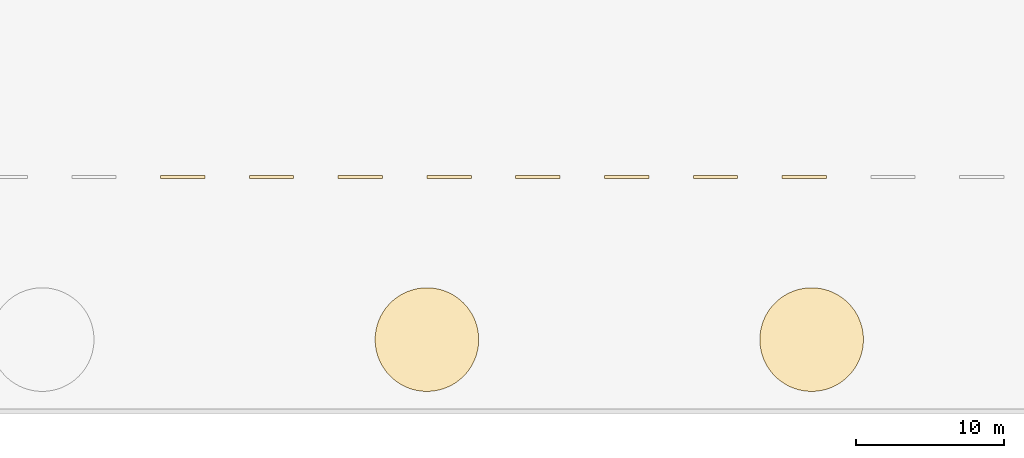
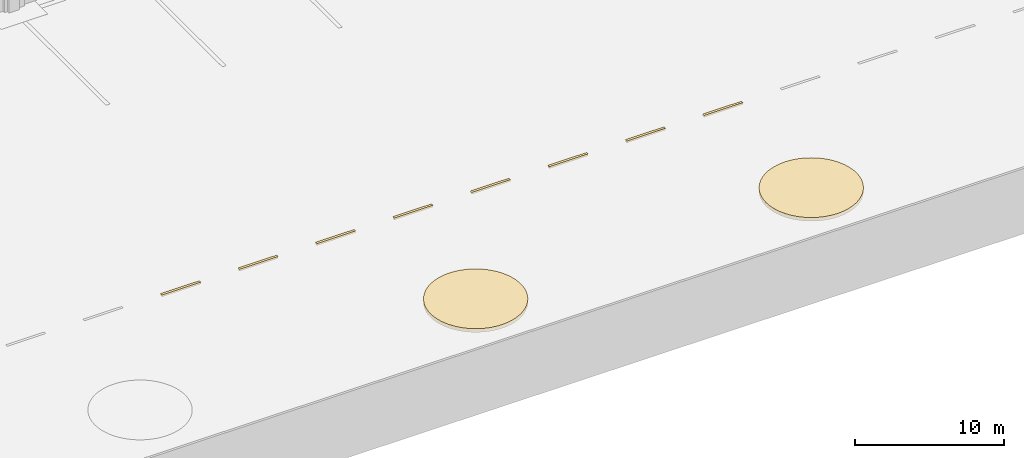
# One storey, part 154 of 198: 10 coverings.
"""IFC4 building model written with IfcOpenShell, lengths in metres."""

from ifc_helpers import new_model, si_unit, direction, frame, origin, place, context, subcontext, project, spatial, polyline, outline, extrude, material, layer, layer_set, type_object, element, save


model = new_model("IFC4")

# Units and contexts
model_context = context("Model", 3, precision=1e-05, world=origin(), true_north=direction((0.0, 1.0)))
body_context = subcontext(model_context, "Body", "Model", "MODEL_VIEW")
ifc_project = project(units=[si_unit("LENGTHUNIT", "METRE"), si_unit("AREAUNIT", "SQUARE_METRE"), si_unit("VOLUMEUNIT", "CUBIC_METRE"), si_unit("PLANEANGLEUNIT", "RADIAN"), si_unit("MASSUNIT", "GRAM", prefix="KILO")], contexts=[model_context])

# Site, building, storey
site_placement = place(None, origin())
site = spatial("IfcSite", under=ifc_project, at=site_placement, CompositionType="ELEMENT")
building_placement = place(site_placement, origin())
building = spatial("IfcBuilding", under=site, at=building_placement, Name="Opaline Strait Convention Centre", CompositionType="ELEMENT")
storey_placement = place(building_placement, origin())
storey = spatial("IfcBuildingStorey", under=building, at=storey_placement, Name="L00", CompositionType="ELEMENT", Elevation=0.0)

# Coverings
ifc_material_1 = material(Name="Planting soil and shrub planting")
ifc_layer_1 = layer(ifc_material_1, 0.300048828125)
ifc_layer_set_1 = layer_set([ifc_layer_1], Name="Planting soil and shrub planting")
covering_type_1 = type_object("IfcCoveringType", Name="Planted border bed 300", PredefinedType="USERDEFINED", material=ifc_layer_set_1)
covering_1_placement = place(storey_placement, frame((0.0, 0.0, -0.300048828125)))
element("IfcCovering", 1, at=covering_1_placement, inside=storey, type_object=covering_type_1, Name="Yard planting island 3 surfacing", ObjectType="LANDSCAPE", PredefinedType="USERDEFINED", context=body_context, shape_type="SweptSolid", body=[
    extrude(outline(polyline([(157.4326171875, 8.317138671875), (157.47021484375, 8.543212890625), (157.492431640625, 8.77099609375), (157.5, 9.0), (157.492431640625, 9.22900390625), (157.47021484375, 9.456787109375), (157.4326171875, 9.682861328125), (157.380615234375, 9.906005859375), (157.314208984375, 10.125), (157.233642578125, 10.33935546875), (157.13916015625, 10.548095703125), (157.031005859375, 10.75), (156.91015625, 10.944580078125), (156.776611328125, 11.130615234375), (156.63134765625, 11.3076171875), (156.474853515625, 11.474853515625), (156.3076171875, 11.63134765625), (156.130615234375, 11.776611328125), (155.944580078125, 11.91015625), (155.75, 12.031005859375), (155.548095703125, 12.13916015625), (155.33935546875, 12.233642578125), (155.125, 12.314208984375), (154.906005859375, 12.380615234375), (154.682861328125, 12.4326171875), (154.456787109375, 12.47021484375), (154.22900390625, 12.492431640625), (154.0, 12.5), (153.77099609375, 12.492431640625), (153.543212890625, 12.47021484375), (153.317138671875, 12.4326171875), (153.093994140625, 12.380615234375), (152.875, 12.314208984375), (152.66064453125, 12.233642578125), (152.451904296875, 12.13916015625), (152.25, 12.031005859375), (152.055419921875, 11.91015625), (151.869384765625, 11.776611328125), (151.6923828125, 11.63134765625), (151.525146484375, 11.474853515625), (151.36865234375, 11.3076171875), (151.223388671875, 11.130615234375), (151.08984375, 10.944580078125), (150.968994140625, 10.75), (150.86083984375, 10.548095703125), (150.766357421875, 10.33935546875), (150.685791015625, 10.125), (150.619384765625, 9.906005859375), (150.5673828125, 9.682861328125), (150.52978515625, 9.456787109375), (150.507568359375, 9.22900390625), (150.5, 9.0), (150.507568359375, 8.77099609375), (150.52978515625, 8.543212890625), (150.5673828125, 8.317138671875), (150.619384765625, 8.093994140625), (150.685791015625, 7.875), (150.766357421875, 7.66064453125), (150.86083984375, 7.451904296875), (150.968994140625, 7.25), (151.08984375, 7.055419921875), (151.223388671875, 6.869384765625), (151.36865234375, 6.6923828125), (151.525146484375, 6.525146484375), (151.6923828125, 6.36865234375), (151.869384765625, 6.223388671875), (152.055419921875, 6.08984375), (152.25, 5.968994140625), (152.451904296875, 5.86083984375), (152.66064453125, 5.766357421875), (152.875, 5.685791015625), (153.093994140625, 5.619384765625), (153.317138671875, 5.5673828125), (153.543212890625, 5.52978515625), (153.77099609375, 5.507568359375), (154.0, 5.5), (154.22900390625, 5.507568359375), (154.456787109375, 5.52978515625), (154.682861328125, 5.5673828125), (154.906005859375, 5.619384765625), (155.125, 5.685791015625), (155.33935546875, 5.766357421875), (155.548095703125, 5.86083984375), (155.75, 5.968994140625), (155.944580078125, 6.08984375), (156.130615234375, 6.223388671875), (156.3076171875, 6.36865234375), (156.474853515625, 6.525146484375), (156.63134765625, 6.6923828125), (156.776611328125, 6.869384765625), (156.91015625, 7.055419921875), (157.031005859375, 7.25), (157.13916015625, 7.451904296875), (157.233642578125, 7.66064453125), (157.314208984375, 7.875), (157.380615234375, 8.093994140625), (157.4326171875, 8.317138671875)])), origin(), (0.0, 0.0, 1.0), 0.300048828125),
])
covering_2_placement = place(storey_placement, frame((0.0, 0.0, -0.300048828125)))
element("IfcCovering", 2, at=covering_2_placement, inside=storey, type_object=covering_type_1, Name="Yard planting island 4 surfacing", ObjectType="LANDSCAPE", PredefinedType="USERDEFINED", context=body_context, shape_type="SweptSolid", body=[
    extrude(outline(polyline([(183.4326171875, 8.317138671875), (183.47021484375, 8.543212890625), (183.492431640625, 8.77099609375), (183.5, 9.0), (183.492431640625, 9.22900390625), (183.47021484375, 9.456787109375), (183.4326171875, 9.682861328125), (183.380615234375, 9.906005859375), (183.314208984375, 10.125), (183.233642578125, 10.33935546875), (183.13916015625, 10.548095703125), (183.031005859375, 10.75), (182.91015625, 10.944580078125), (182.776611328125, 11.130615234375), (182.63134765625, 11.3076171875), (182.474853515625, 11.474853515625), (182.3076171875, 11.63134765625), (182.130615234375, 11.776611328125), (181.944580078125, 11.91015625), (181.75, 12.031005859375), (181.548095703125, 12.13916015625), (181.33935546875, 12.233642578125), (181.125, 12.314208984375), (180.906005859375, 12.380615234375), (180.682861328125, 12.4326171875), (180.456787109375, 12.47021484375), (180.22900390625, 12.492431640625), (180.0, 12.5), (179.77099609375, 12.492431640625), (179.543212890625, 12.47021484375), (179.317138671875, 12.4326171875), (179.093994140625, 12.380615234375), (178.875, 12.314208984375), (178.66064453125, 12.233642578125), (178.451904296875, 12.13916015625), (178.25, 12.031005859375), (178.055419921875, 11.91015625), (177.869384765625, 11.776611328125), (177.6923828125, 11.63134765625), (177.525146484375, 11.474853515625), (177.36865234375, 11.3076171875), (177.223388671875, 11.130615234375), (177.08984375, 10.944580078125), (176.968994140625, 10.75), (176.86083984375, 10.548095703125), (176.766357421875, 10.33935546875), (176.685791015625, 10.125), (176.619384765625, 9.906005859375), (176.5673828125, 9.682861328125), (176.52978515625, 9.456787109375), (176.507568359375, 9.22900390625), (176.5, 9.0), (176.507568359375, 8.77099609375), (176.52978515625, 8.543212890625), (176.5673828125, 8.317138671875), (176.619384765625, 8.093994140625), (176.685791015625, 7.875), (176.766357421875, 7.66064453125), (176.86083984375, 7.451904296875), (176.968994140625, 7.25), (177.08984375, 7.055419921875), (177.223388671875, 6.869384765625), (177.36865234375, 6.6923828125), (177.525146484375, 6.525146484375), (177.6923828125, 6.36865234375), (177.869384765625, 6.223388671875), (178.055419921875, 6.08984375), (178.25, 5.968994140625), (178.451904296875, 5.86083984375), (178.66064453125, 5.766357421875), (178.875, 5.685791015625), (179.093994140625, 5.619384765625), (179.317138671875, 5.5673828125), (179.543212890625, 5.52978515625), (179.77099609375, 5.507568359375), (180.0, 5.5), (180.22900390625, 5.507568359375), (180.456787109375, 5.52978515625), (180.682861328125, 5.5673828125), (180.906005859375, 5.619384765625), (181.125, 5.685791015625), (181.33935546875, 5.766357421875), (181.548095703125, 5.86083984375), (181.75, 5.968994140625), (181.944580078125, 6.08984375), (182.130615234375, 6.223388671875), (182.3076171875, 6.36865234375), (182.474853515625, 6.525146484375), (182.63134765625, 6.6923828125), (182.776611328125, 6.869384765625), (182.91015625, 7.055419921875), (183.031005859375, 7.25), (183.13916015625, 7.451904296875), (183.233642578125, 7.66064453125), (183.314208984375, 7.875), (183.380615234375, 8.093994140625), (183.4326171875, 8.317138671875)])), origin(), (0.0, 0.0, 1.0), 0.300048828125),
])
ifc_material_2 = material(Name="Road marking paint on concrete", Category="concrete")
ifc_layer_2 = layer(ifc_material_2, 0.14990234375)
ifc_layer_set_2 = layer_set([ifc_layer_2], Name="Road marking paint on concrete")
covering_type_2 = type_object("IfcCoveringType", Name="Yard marking strip 150", PredefinedType="FLOORING", material=ifc_layer_set_2)
covering_3_placement = place(storey_placement, frame((0.0, 0.0, -0.14990234375)))
element("IfcCovering", 3, at=covering_3_placement, inside=storey, type_object=covering_type_2, Name="Yard centre line dash 7 surfacing", PredefinedType="FLOORING", context=body_context, shape_type="SweptSolid", body=[
    extrude(outline(polyline([(139.0, 20.10009765625), (136.0, 20.10009765625), (136.0, 19.89990234375), (139.0, 19.89990234375), (139.0, 20.10009765625)])), origin(), (0.0, 0.0, 1.0), 0.14990234375),
])
covering_4_placement = place(storey_placement, frame((0.0, 0.0, -0.14990234375)))
element("IfcCovering", 4, at=covering_4_placement, inside=storey, type_object=covering_type_2, Name="Yard centre line dash 8 surfacing", PredefinedType="FLOORING", context=body_context, shape_type="SweptSolid", body=[
    extrude(outline(polyline([(145.0, 20.10009765625), (142.0, 20.10009765625), (142.0, 19.89990234375), (145.0, 19.89990234375), (145.0, 20.10009765625)])), origin(), (0.0, 0.0, 1.0), 0.14990234375),
])
covering_5_placement = place(storey_placement, frame((0.0, 0.0, -0.14990234375)))
element("IfcCovering", 5, at=covering_5_placement, inside=storey, type_object=covering_type_2, Name="Yard centre line dash 9 surfacing", PredefinedType="FLOORING", context=body_context, shape_type="SweptSolid", body=[
    extrude(outline(polyline([(151.0, 20.10009765625), (148.0, 20.10009765625), (148.0, 19.89990234375), (151.0, 19.89990234375), (151.0, 20.10009765625)])), origin(), (0.0, 0.0, 1.0), 0.14990234375),
])
covering_6_placement = place(storey_placement, frame((0.0, 0.0, -0.14990234375)))
element("IfcCovering", 6, at=covering_6_placement, inside=storey, type_object=covering_type_2, Name="Yard centre line dash 10 surfacing", PredefinedType="FLOORING", context=body_context, shape_type="SweptSolid", body=[
    extrude(outline(polyline([(157.0, 20.10009765625), (154.0, 20.10009765625), (154.0, 19.89990234375), (157.0, 19.89990234375), (157.0, 20.10009765625)])), origin(), (0.0, 0.0, 1.0), 0.14990234375),
])
covering_7_placement = place(storey_placement, frame((0.0, 0.0, -0.14990234375)))
element("IfcCovering", 7, at=covering_7_placement, inside=storey, type_object=covering_type_2, Name="Yard centre line dash 11 surfacing", PredefinedType="FLOORING", context=body_context, shape_type="SweptSolid", body=[
    extrude(outline(polyline([(163.0, 20.10009765625), (160.0, 20.10009765625), (160.0, 19.89990234375), (163.0, 19.89990234375), (163.0, 20.10009765625)])), origin(), (0.0, 0.0, 1.0), 0.14990234375),
])
covering_8_placement = place(storey_placement, frame((0.0, 0.0, -0.14990234375)))
element("IfcCovering", 8, at=covering_8_placement, inside=storey, type_object=covering_type_2, Name="Yard centre line dash 12 surfacing", PredefinedType="FLOORING", context=body_context, shape_type="SweptSolid", body=[
    extrude(outline(polyline([(169.0, 20.10009765625), (166.0, 20.10009765625), (166.0, 19.89990234375), (169.0, 19.89990234375), (169.0, 20.10009765625)])), origin(), (0.0, 0.0, 1.0), 0.14990234375),
])
covering_9_placement = place(storey_placement, frame((0.0, 0.0, -0.14990234375)))
element("IfcCovering", 9, at=covering_9_placement, inside=storey, type_object=covering_type_2, Name="Yard centre line dash 13 surfacing", PredefinedType="FLOORING", context=body_context, shape_type="SweptSolid", body=[
    extrude(outline(polyline([(175.0, 20.10009765625), (172.0, 20.10009765625), (172.0, 19.89990234375), (175.0, 19.89990234375), (175.0, 20.10009765625)])), origin(), (0.0, 0.0, 1.0), 0.14990234375),
])
covering_10_placement = place(storey_placement, frame((0.0, 0.0, -0.14990234375)))
element("IfcCovering", 10, at=covering_10_placement, inside=storey, type_object=covering_type_2, Name="Yard centre line dash 14 surfacing", PredefinedType="FLOORING", context=body_context, shape_type="SweptSolid", body=[
    extrude(outline(polyline([(181.0, 20.10009765625), (178.0, 20.10009765625), (178.0, 19.89990234375), (181.0, 19.89990234375), (181.0, 20.10009765625)])), origin(), (0.0, 0.0, 1.0), 0.14990234375),
])

save(model, "model.ifc")
